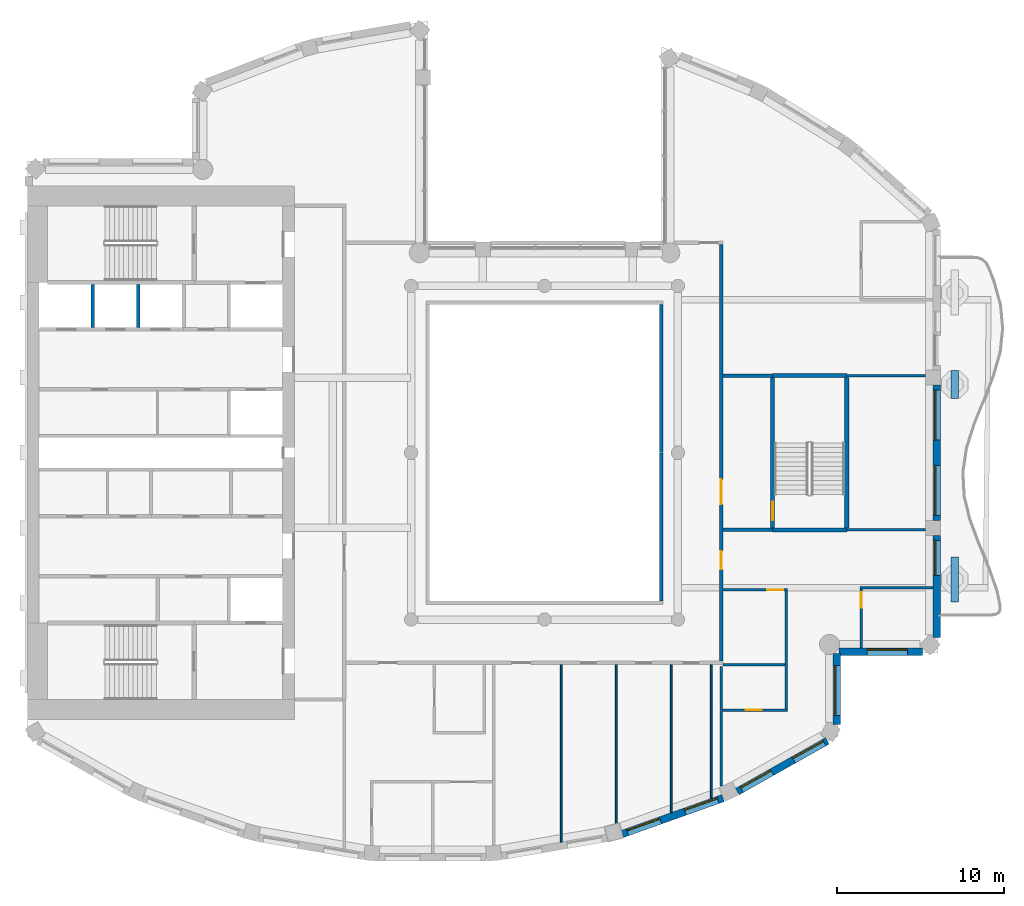
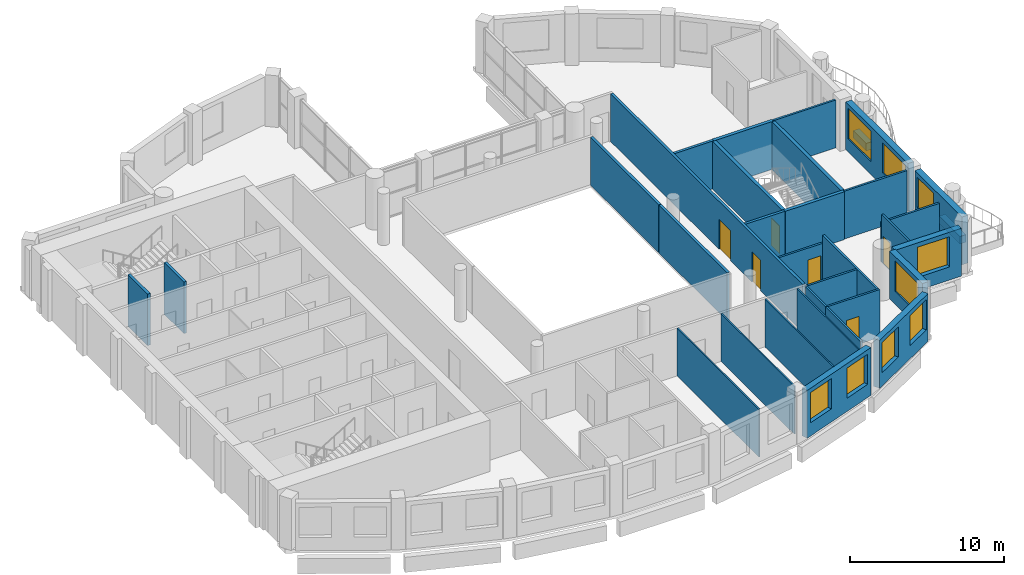
# One storey, part 6 of 15: 33 walls, 9 windows, 6 doors, 15 openings.
"""IFC4 building model written with IfcOpenShell, lengths in metres."""

from ifc_helpers import new_model, si_unit, direction, frame, frame_2d, origin, place, context, subcontext, project, spatial, rectangle, extrude, material, layer, layer_set, type_object, element, fill, save


model = new_model("IFC4")

# Units and contexts
model_context = context("Model", 3, precision=1e-05, world=origin(), true_north=direction((0.0, 1.0)))
body_context = subcontext(model_context, "Body", "Model", "MODEL_VIEW")
ifc_project = project(units=[si_unit("LENGTHUNIT", "METRE"), si_unit("AREAUNIT", "SQUARE_METRE"), si_unit("VOLUMEUNIT", "CUBIC_METRE"), si_unit("PLANEANGLEUNIT", "RADIAN"), si_unit("MASSUNIT", "GRAM", prefix="KILO")], contexts=[model_context])

# Site, building, storey
site_placement = place(None, origin())
site = spatial("IfcSite", under=ifc_project, at=site_placement, CompositionType="ELEMENT")
building_placement = place(site_placement, origin())
building = spatial("IfcBuilding", under=site, at=building_placement, Name="Cypress Arch Tower", CompositionType="ELEMENT")
storey_placement = place(building_placement, frame((0.0, 0.0, 321.300048828125)))
storey = spatial("IfcBuildingStorey", under=building, at=storey_placement, Name="L73", CompositionType="ELEMENT", Elevation=321.300048828125)

# Walls
ifc_material_1 = material(Name="Concrete C40/50, waterproofed", Category="concrete")
ifc_layer_1 = layer(ifc_material_1, 0.449951171875)
ifc_layer_set_1 = layer_set([ifc_layer_1], Name="Balcony planter wall PW450")
wall_type_1 = type_object("IfcWallType", Name="Balcony planter wall PW450", PredefinedType="SOLIDWALL", material=ifc_layer_set_1)
wall_1_placement = place(storey_placement, frame((25.60009765625, -8.949951171875, 0.0), z_axis=(0.0, 0.0, 1.0), x_axis=(0.0, 1.0, 0.0)))
element("IfcWall", 1, at=wall_1_placement, inside=storey, type_object=wall_type_1, Name="Balcony planter wall L73-C17.1", PredefinedType="SOLIDWALL", context=body_context, shape_type="SweptSolid", body=[
    extrude(rectangle(XDim=2.699951171875, YDim=0.449951171875, at=frame_2d((1.35009765625, 0.0))), origin(), (0.0, 0.0, 1.0), 0.599853515625),
])
wall_2_placement = place(storey_placement, frame((25.60009765625, 3.25, 0.0), z_axis=(0.0, 0.0, 1.0), x_axis=(0.0, 1.0, 0.0)))
element("IfcWall", 2, at=wall_2_placement, inside=storey, type_object=wall_type_1, Name="Balcony planter wall L73-C17.2", PredefinedType="SOLIDWALL", context=body_context, shape_type="SweptSolid", body=[
    extrude(rectangle(XDim=1.69140625, YDim=0.449951171875, at=frame_2d((0.845703125, 0.0))), origin(), (0.0, 0.0, 1.0), 0.599853515625),
])

# Wall, openings, windows
ifc_material_2 = material(Name="Brick (red buff blend)", Category="masonry")
ifc_layer_2 = layer(ifc_material_2, 0.449951171875)
ifc_layer_set_2 = layer_set([ifc_layer_2], Name="Brick pier and spandrel wall BW450")
wall_type_2 = type_object("IfcWallType", Name="Brick pier and spandrel wall BW450", PredefinedType="SOLIDWALL", material=ifc_layer_set_2)
wall_3_placement = place(storey_placement, frame((5.66455078125, -22.859375, 0.0), z_axis=(0.0, 0.0, 1.0), x_axis=(0.942108340262, 0.335308626803, 0.0)))
wall_3 = element("IfcWall", 3, at=wall_3_placement, inside=storey, type_object=wall_type_2, Name="Brick wall L73 C13.0", PredefinedType="SOLIDWALL", context=body_context, shape_type="SweptSolid", body=[
    extrude(rectangle(XDim=6.41162109375, YDim=0.449951171875, at=frame_2d((3.205810546875, 0.0))), origin(), (0.0, 0.0, 1.0), 3.800048828125),
])
opening_1_placement = place(wall_3_placement, frame((0.3271484375, 0.0, 1.050048828125)))
opening_1 = element("IfcOpeningElement", 4, at=opening_1_placement, cuts=wall_3, Name="Opening W210O", PredefinedType="OPENING", context=body_context, shape_type="SweptSolid", body=[
    extrude(rectangle(XDim=2.10009765625, YDim=2.39990234375, at=frame_2d((1.050048828125, 1.199951171875))), frame((0.0, 0.23486328125, 0.0), z_axis=(0.0, -1.0, 0.0), x_axis=(1.0, 0.0, 0.0)), (0.0, 0.0, 1.0), 0.469970703125),
])
opening_2_placement = place(wall_3_placement, frame((3.984619140625, 0.0, 1.050048828125)))
opening_2 = element("IfcOpeningElement", 5, at=opening_2_placement, cuts=wall_3, Name="Opening W210O", PredefinedType="OPENING", context=body_context, shape_type="SweptSolid", body=[
    extrude(rectangle(XDim=2.10009765625, YDim=2.39990234375, at=frame_2d((1.050048828125, 1.199951171875))), frame((0.0, 0.23486328125, 0.0), z_axis=(0.0, -1.0, 0.0), x_axis=(1.0, 0.0, 0.0)), (0.0, 0.0, 1.0), 0.469970703125),
])
ifc_material_3 = material(Name="Anodised aluminium, bronze finish, clear low-emissivity double glazing", Category="aluminium")
window_type_1 = type_object("IfcWindowType", Name="Window Office 2100x2400", PartitioningType="SINGLE_PANEL", PredefinedType="WINDOW", material=ifc_material_3)
window_1_placement = place(opening_1_placement, origin())
window_1 = element("IfcWindow", 6, at=window_1_placement, inside=storey, type_object=window_type_1, Name="Window L73 C13.0.1", OverallHeight=2.39990234375, OverallWidth=2.10009765625, PartitioningType="SINGLE_PANEL", PredefinedType="WINDOW", context=body_context, shape_type="SweptSolid", body=[
    extrude(rectangle(XDim=2.10009765625, YDim=2.39990234375, at=frame_2d((1.050048828125, 1.199951171875))), frame((0.0, 0.135009765625, 0.0), z_axis=(0.0, -1.0, 0.0), x_axis=(1.0, 0.0, 0.0)), (0.0, 0.0, 1.0), 0.06005859375),
])
fill(opening_1, window_1)
window_2_placement = place(opening_2_placement, origin())
window_2 = element("IfcWindow", 7, at=window_2_placement, inside=storey, type_object=window_type_1, Name="Window L73 C13.0.2", OverallHeight=2.39990234375, OverallWidth=2.10009765625, PartitioningType="SINGLE_PANEL", PredefinedType="WINDOW", context=body_context, shape_type="SweptSolid", body=[
    extrude(rectangle(XDim=2.10009765625, YDim=2.39990234375, at=frame_2d((1.050048828125, 1.199951171875))), frame((0.0, 0.135009765625, 0.0), z_axis=(0.0, -1.0, 0.0), x_axis=(1.0, 0.0, 0.0)), (0.0, 0.0, 1.0), 0.06005859375),
])
fill(opening_2, window_2)

wall_4_placement = place(storey_placement, frame((12.55908203125, -20.320068359375, 0.0), z_axis=(0.0, 0.0, 1.0), x_axis=(0.871065783524, 0.491166367714, 0.0)))
wall_4 = element("IfcWall", 8, at=wall_4_placement, inside=storey, type_object=wall_type_2, Name="Brick wall L73 C14.0", PredefinedType="SOLIDWALL", context=body_context, shape_type="SweptSolid", body=[
    extrude(rectangle(XDim=6.1962890625, YDim=0.449951171875, at=frame_2d((3.09814453125, 0.0))), origin(), (0.0, 0.0, 1.0), 3.800048828125),
])
opening_3_placement = place(wall_4_placement, frame((0.29052734375, 0.0, 1.050048828125)))
opening_3 = element("IfcOpeningElement", 9, at=opening_3_placement, cuts=wall_4, Name="Opening W210O", PredefinedType="OPENING", context=body_context, shape_type="SweptSolid", body=[
    extrude(rectangle(XDim=2.10009765625, YDim=2.39990234375, at=frame_2d((1.050048828125, 1.199951171875))), frame((0.0, 0.23486328125, 0.0), z_axis=(0.0, -1.0, 0.0), x_axis=(1.0, 0.0, 0.0)), (0.0, 0.0, 1.0), 0.469970703125),
])
opening_4_placement = place(wall_4_placement, frame((3.875244140625, 0.0, 1.050048828125)))
opening_4 = element("IfcOpeningElement", 10, at=opening_4_placement, cuts=wall_4, Name="Opening W210O", PredefinedType="OPENING", context=body_context, shape_type="SweptSolid", body=[
    extrude(rectangle(XDim=2.10009765625, YDim=2.39990234375, at=frame_2d((1.050048828125, 1.199951171875))), frame((0.0, 0.23486328125, 0.0), z_axis=(0.0, -1.0, 0.0), x_axis=(1.0, 0.0, 0.0)), (0.0, 0.0, 1.0), 0.469970703125),
])
window_3_placement = place(opening_3_placement, origin())
window_3 = element("IfcWindow", 11, at=window_3_placement, inside=storey, type_object=window_type_1, Name="Window L73 C14.0.1", OverallHeight=2.39990234375, OverallWidth=2.10009765625, PartitioningType="SINGLE_PANEL", PredefinedType="WINDOW", context=body_context, shape_type="SweptSolid", body=[
    extrude(rectangle(XDim=2.10009765625, YDim=2.39990234375, at=frame_2d((1.050048828125, 1.199951171875))), frame((0.0, 0.135009765625, 0.0), z_axis=(0.0, -1.0, 0.0), x_axis=(1.0, 0.0, 0.0)), (0.0, 0.0, 1.0), 0.06005859375),
])
fill(opening_3, window_3)
window_4_placement = place(opening_4_placement, origin())
window_4 = element("IfcWindow", 12, at=window_4_placement, inside=storey, type_object=window_type_1, Name="Window L73 C14.0.2", OverallHeight=2.39990234375, OverallWidth=2.10009765625, PartitioningType="SINGLE_PANEL", PredefinedType="WINDOW", context=body_context, shape_type="SweptSolid", body=[
    extrude(rectangle(XDim=2.10009765625, YDim=2.39990234375, at=frame_2d((1.050048828125, 1.199951171875))), frame((0.0, 0.135009765625, 0.0), z_axis=(0.0, -1.0, 0.0), x_axis=(1.0, 0.0, 0.0)), (0.0, 0.0, 1.0), 0.06005859375),
])
fill(opening_4, window_4)

# Wall, opening, window
wall_5_placement = place(storey_placement, frame((18.52490234375, -16.3037109375, 0.0), z_axis=(0.0, 0.0, 1.0), x_axis=(0.0, 1.0, 0.0)))
wall_5 = element("IfcWall", 13, at=wall_5_placement, inside=storey, type_object=wall_type_2, Name="Brick wall L73 C15.0", PredefinedType="SOLIDWALL", context=body_context, shape_type="SweptSolid", body=[
    extrude(rectangle(XDim=4.25537109375, YDim=0.449951171875, at=frame_2d((2.127685546875, 0.0))), origin(), (0.0, 0.0, 1.0), 3.800048828125),
])
opening_5_placement = place(wall_5_placement, frame((0.541259765625, 0.0, 1.050048828125)))
opening_5 = element("IfcOpeningElement", 14, at=opening_5_placement, cuts=wall_5, Name="Opening W300O", PredefinedType="OPENING", context=body_context, shape_type="SweptSolid", body=[
    extrude(rectangle(XDim=3.0, YDim=2.39990234375, at=frame_2d((1.5, 1.199951171875))), frame((0.0, 0.23486328125, 0.0), z_axis=(0.0, -1.0, 0.0), x_axis=(1.0, 0.0, 0.0)), (0.0, 0.0, 1.0), 0.469970703125),
])
ifc_material_4 = material(Name="Anodised aluminium, bronze finish, clear low-emissivity double glazing", Category="aluminium")
window_type_2 = type_object("IfcWindowType", Name="Window Office 3000x2400", PartitioningType="SINGLE_PANEL", PredefinedType="WINDOW", material=ifc_material_4)
window_5_placement = place(opening_5_placement, origin())
window_5 = element("IfcWindow", 15, at=window_5_placement, inside=storey, type_object=window_type_2, Name="Window L73 C15.0.1", OverallHeight=2.39990234375, OverallWidth=3.0, PartitioningType="SINGLE_PANEL", PredefinedType="WINDOW", context=body_context, shape_type="SweptSolid", body=[
    extrude(rectangle(XDim=3.0, YDim=2.39990234375, at=frame_2d((1.5, 1.199951171875))), frame((0.0, 0.135009765625, 0.0), z_axis=(0.0, -1.0, 0.0), x_axis=(1.0, 0.0, 0.0)), (0.0, 0.0, 1.0), 0.06005859375),
])
fill(opening_5, window_5)

wall_6_placement = place(storey_placement, frame((18.6484375, -11.925048828125, 0.0), z_axis=(0.0, 0.0, 1.0), x_axis=(1.0, 0.0, 0.0)))
wall_6 = element("IfcWall", 16, at=wall_6_placement, inside=storey, type_object=wall_type_2, Name="Brick wall L73 C16.0", PredefinedType="SOLIDWALL", context=body_context, shape_type="SweptSolid", body=[
    extrude(rectangle(XDim=5.01513671875, YDim=0.449951171875, at=frame_2d((2.507568359375, 0.0))), origin(), (0.0, 0.0, 1.0), 3.800048828125),
])
opening_6_placement = place(wall_6_placement, frame((1.70166015625, 0.0, 1.050048828125)))
opening_6 = element("IfcOpeningElement", 17, at=opening_6_placement, cuts=wall_6, Name="Opening W240O", PredefinedType="OPENING", context=body_context, shape_type="SweptSolid", body=[
    extrude(rectangle(XDim=2.39990234375, YDim=2.39990234375, at=frame_2d((1.199951171875, 1.199951171875))), frame((0.0, 0.23486328125, 0.0), z_axis=(0.0, -1.0, 0.0), x_axis=(1.0, 0.0, 0.0)), (0.0, 0.0, 1.0), 0.469970703125),
])
ifc_material_5 = material(Name="Anodised aluminium, bronze finish, clear low-emissivity double glazing", Category="aluminium")
window_type_3 = type_object("IfcWindowType", Name="Window Office 2400x2400", PartitioningType="SINGLE_PANEL", PredefinedType="WINDOW", material=ifc_material_5)
window_6_placement = place(opening_6_placement, origin())
window_6 = element("IfcWindow", 18, at=window_6_placement, inside=storey, type_object=window_type_3, Name="Window L73 C16.0.1", OverallHeight=2.39990234375, OverallWidth=2.39990234375, PartitioningType="SINGLE_PANEL", PredefinedType="WINDOW", context=body_context, shape_type="SweptSolid", body=[
    extrude(rectangle(XDim=2.39990234375, YDim=2.39990234375, at=frame_2d((1.199951171875, 1.199951171875))), frame((0.0, 0.135009765625, 0.0), z_axis=(0.0, -1.0, 0.0), x_axis=(1.0, 0.0, 0.0)), (0.0, 0.0, 1.0), 0.06005859375),
])
fill(opening_6, window_6)

wall_7_placement = place(storey_placement, frame((24.52490234375, -11.063720703125, 0.0), z_axis=(0.0, 0.0, 1.0), x_axis=(0.0, 1.0, 0.0)))
wall_7 = element("IfcWall", 19, at=wall_7_placement, inside=storey, type_object=wall_type_2, Name="Brick wall L73 C17.0", PredefinedType="SOLIDWALL", context=body_context, shape_type="SweptSolid", body=[
    extrude(rectangle(XDim=6.11376953125, YDim=0.449951171875, at=frame_2d((3.056884765625, 0.0))), origin(), (0.0, 0.0, 1.0), 3.800048828125),
])
opening_7_placement = place(wall_7_placement, frame((3.713623046875, 0.0, 1.050048828125)))
opening_7 = element("IfcOpeningElement", 20, at=opening_7_placement, cuts=wall_7, Name="Opening W210OD", PredefinedType="OPENING", context=body_context, shape_type="SweptSolid", body=[
    extrude(rectangle(XDim=2.10009765625, YDim=2.39990234375, at=frame_2d((1.050048828125, 1.199951171875))), frame((0.0, 0.23486328125, 0.0), z_axis=(0.0, -1.0, 0.0), x_axis=(1.0, 0.0, 0.0)), (0.0, 0.0, 1.0), 0.469970703125),
])
ifc_material_6 = material(Name="Anodised aluminium, bronze finish, laminated low-emissivity double glazing, large-missile impact rated", Category="aluminium")
window_type_4 = type_object("IfcWindowType", Name="Window Office 2100x2400 debris-rated", PartitioningType="SINGLE_PANEL", PredefinedType="WINDOW", material=ifc_material_6)
window_7_placement = place(opening_7_placement, origin())
window_7 = element("IfcWindow", 21, at=window_7_placement, inside=storey, type_object=window_type_4, Name="Window L73 C17.0.2", OverallHeight=2.39990234375, OverallWidth=2.10009765625, PartitioningType="SINGLE_PANEL", PredefinedType="WINDOW", context=body_context, shape_type="SweptSolid", body=[
    extrude(rectangle(XDim=2.10009765625, YDim=2.39990234375, at=frame_2d((1.050048828125, 1.199951171875))), frame((0.0, 0.135009765625, 0.0), z_axis=(0.0, -1.0, 0.0), x_axis=(1.0, 0.0, 0.0)), (0.0, 0.0, 1.0), 0.06005859375),
])
fill(opening_7, window_7)

# Wall, openings, windows
wall_8_placement = place(storey_placement, frame((24.52490234375, -4.050048828125, 0.0), z_axis=(0.0, 0.0, 1.0), x_axis=(0.0, 1.0, 0.0)))
wall_8 = element("IfcWall", 22, at=wall_8_placement, inside=storey, type_object=wall_type_2, Name="Brick wall L73 C17.1", PredefinedType="SOLIDWALL", context=body_context, shape_type="SweptSolid", body=[
    extrude(rectangle(XDim=8.10009765625, YDim=0.449951171875, at=frame_2d((4.050048828125, 0.0))), origin(), (0.0, 0.0, 1.0), 3.800048828125),
])
opening_8_placement = place(wall_8_placement, frame((0.300048828125, 0.0, 1.050048828125)))
opening_8 = element("IfcOpeningElement", 23, at=opening_8_placement, cuts=wall_8, Name="Opening W300OD", PredefinedType="OPENING", context=body_context, shape_type="SweptSolid", body=[
    extrude(rectangle(XDim=3.0, YDim=2.39990234375, at=frame_2d((1.5, 1.199951171875))), frame((0.0, 0.23486328125, 0.0), z_axis=(0.0, -1.0, 0.0), x_axis=(1.0, 0.0, 0.0)), (0.0, 0.0, 1.0), 0.469970703125),
])
opening_9_placement = place(wall_8_placement, frame((4.800048828125, 0.0, 1.050048828125)))
opening_9 = element("IfcOpeningElement", 24, at=opening_9_placement, cuts=wall_8, Name="Opening W300OD", PredefinedType="OPENING", context=body_context, shape_type="SweptSolid", body=[
    extrude(rectangle(XDim=3.0, YDim=2.39990234375, at=frame_2d((1.5, 1.199951171875))), frame((0.0, 0.23486328125, 0.0), z_axis=(0.0, -1.0, 0.0), x_axis=(1.0, 0.0, 0.0)), (0.0, 0.0, 1.0), 0.469970703125),
])
ifc_material_7 = material(Name="Anodised aluminium, bronze finish, laminated low-emissivity double glazing, large-missile impact rated", Category="aluminium")
window_type_5 = type_object("IfcWindowType", Name="Window Office 3000x2400 debris-rated", PartitioningType="SINGLE_PANEL", PredefinedType="WINDOW", material=ifc_material_7)
window_8_placement = place(opening_8_placement, origin())
window_8 = element("IfcWindow", 25, at=window_8_placement, inside=storey, type_object=window_type_5, Name="Window L73 C17.1.1", OverallHeight=2.39990234375, OverallWidth=3.0, PartitioningType="SINGLE_PANEL", PredefinedType="WINDOW", context=body_context, shape_type="SweptSolid", body=[
    extrude(rectangle(XDim=3.0, YDim=2.39990234375, at=frame_2d((1.5, 1.199951171875))), frame((0.0, 0.135009765625, 0.0), z_axis=(0.0, -1.0, 0.0), x_axis=(1.0, 0.0, 0.0)), (0.0, 0.0, 1.0), 0.06005859375),
])
fill(opening_8, window_8)
window_9_placement = place(opening_9_placement, origin())
window_9 = element("IfcWindow", 26, at=window_9_placement, inside=storey, type_object=window_type_5, Name="Window L73 C17.1.2", OverallHeight=2.39990234375, OverallWidth=3.0, PartitioningType="SINGLE_PANEL", PredefinedType="WINDOW", context=body_context, shape_type="SweptSolid", body=[
    extrude(rectangle(XDim=3.0, YDim=2.39990234375, at=frame_2d((1.5, 1.199951171875))), frame((0.0, 0.135009765625, 0.0), z_axis=(0.0, -1.0, 0.0), x_axis=(1.0, 0.0, 0.0)), (0.0, 0.0, 1.0), 0.06005859375),
])
fill(opening_9, window_9)

# Walls
ifc_material_8 = material(Name="Concrete blockwork, plastered, rated", Category="masonry")
ifc_layer_3 = layer(ifc_material_8, 0.199951171875)
ifc_layer_set_3 = layer_set([ifc_layer_3], Name="Corridor wall FW200")
wall_type_3 = type_object("IfcWallType", Name="Corridor wall FW200", PredefinedType="PARTITIONING", material=ifc_layer_set_3)
for number, where, z_axis, x_axis, name in (
    (27, (8.0, -8.89990234375, 0.0), (0.0, 0.0, 1.0), (0.0, 1.0, 0.0), "Corridor wall"),
    (28, (8.0, 0.02001953125, 0.0), (0.0, 0.0, 1.0), (0.0, 1.0, 0.0), "Corridor wall"),
):
    element("IfcWall", number, at=place(storey_placement, frame(where, z_axis=z_axis, x_axis=x_axis)), inside=storey, type_object=wall_type_3, Name=name, PredefinedType="PARTITIONING", context=body_context, shape_type="SweptSolid", body=[
        extrude(rectangle(XDim=8.8798828125, YDim=0.199951171875, at=frame_2d((4.43994140625, 0.0))), origin(), (0.0, 0.0, 1.0), 3.800048828125),
    ])

# Wall, openings, doors
wall_9_placement = place(storey_placement, frame((11.60009765625, -12.5, 0.0), z_axis=(0.0, 0.0, 1.0), x_axis=(0.0, 1.0, 0.0)))
wall_9 = element("IfcWall", 29, at=wall_9_placement, inside=storey, type_object=wall_type_3, Name="Corridor wall", PredefinedType="PARTITIONING", context=body_context, shape_type="SweptSolid", body=[
    extrude(rectangle(XDim=25.0, YDim=0.199951171875, at=frame_2d((12.5, 0.0))), origin(), (0.0, 0.0, 1.0), 3.800048828125),
])
opening_10_placement = place(wall_9_placement, frame((9.39990234375, 0.0, 0.0)))
opening_10 = element("IfcOpeningElement", 30, at=opening_10_placement, cuts=wall_9, Name="Opening D07", PredefinedType="OPENING", context=body_context, shape_type="SweptSolid", body=[
    extrude(rectangle(XDim=1.5, YDim=2.39990234375, at=frame_2d((0.75, 1.199951171875))), frame((0.0, 0.10986328125, 0.0), z_axis=(0.0, -1.0, 0.0), x_axis=(1.0, 0.0, 0.0)), (0.0, 0.0, 1.0), 0.219970703125),
])
opening_11_placement = place(wall_9_placement, frame((5.5, 0.0, 0.0)))
opening_11 = element("IfcOpeningElement", 31, at=opening_11_placement, cuts=wall_9, Name="Opening D01", PredefinedType="OPENING", context=body_context, shape_type="SweptSolid", body=[
    extrude(rectangle(XDim=1.10009765625, YDim=2.39990234375, at=frame_2d((0.550048828125, 1.199951171875))), frame((0.0, 0.10986328125, 0.0), z_axis=(0.0, -1.0, 0.0), x_axis=(1.0, 0.0, 0.0)), (0.0, 0.0, 1.0), 0.219970703125),
])
ifc_material_9 = material(Name="Steel framed glazed door, fire resisting", Category="steel")
door_type_1 = type_object("IfcDoorType", Name="Lobby door D07 1500x2400", OperationType="DOUBLE_DOOR_SINGLE_SWING", PredefinedType="DOOR", material=ifc_material_9)
door_1_placement = place(opening_10_placement, origin())
door_1 = element("IfcDoor", 32, at=door_1_placement, inside=storey, type_object=door_type_1, Name="Lobby door", OperationType="DOUBLE_DOOR_SINGLE_SWING", OverallHeight=2.39990234375, OverallWidth=1.5, PredefinedType="DOOR", context=body_context, shape_type="SweptSolid", body=[
    extrude(rectangle(XDim=1.5, YDim=2.39990234375, at=frame_2d((0.75, 1.199951171875))), frame((0.0, 0.02490234375, 0.0), z_axis=(0.0, -1.0, 0.0), x_axis=(1.0, 0.0, 0.0)), (0.0, 0.0, 1.0), 0.050048828125),
])
fill(opening_10, door_1)
ifc_material_10 = material(Name="Timber flush door, fire resisting, self-closing", Category="wood")
door_type_2 = type_object("IfcDoorType", Name="Unit entrance door D01 1100x2400", OperationType="SINGLE_SWING_LEFT", PredefinedType="DOOR", material=ifc_material_10)
door_2_placement = place(opening_11_placement, origin())
door_2 = element("IfcDoor", 33, at=door_2_placement, inside=storey, type_object=door_type_2, Name="Unit entrance door", OperationType="SINGLE_SWING_RIGHT", OverallHeight=2.39990234375, OverallWidth=1.10009765625, PredefinedType="DOOR", context=body_context, shape_type="SweptSolid", body=[
    extrude(rectangle(XDim=1.10009765625, YDim=2.39990234375, at=frame_2d((0.550048828125, 1.199951171875))), frame((0.0, 0.02490234375, 0.0), z_axis=(0.0, -1.0, 0.0), x_axis=(1.0, 0.0, 0.0)), (0.0, 0.0, 1.0), 0.050048828125),
])
fill(opening_11, door_2)

# Walls
for number, where, z_axis, x_axis, name in (
    (34, (11.699951171875, -4.625, 0.0), (0.0, 0.0, 1.0), (1.0, 0.0, 0.0), "Corridor wall"),
    (35, (11.699951171875, 4.625, 0.0), (0.0, 0.0, 1.0), (1.0, 0.0, 0.0), "Corridor wall"),
):
    element("IfcWall", number, at=place(storey_placement, frame(where, z_axis=z_axis, x_axis=x_axis)), inside=storey, type_object=wall_type_3, Name=name, PredefinedType="PARTITIONING", context=body_context, shape_type="SweptSolid", body=[
        extrude(rectangle(XDim=2.97509765625, YDim=0.199951171875, at=frame_2d((1.487548828125, 0.0))), origin(), (0.0, 0.0, 1.0), 3.800048828125),
    ])
ifc_material_11 = material(Name="Blockwork, plastered both sides", Category="masonry")
ifc_layer_4 = layer(ifc_material_11, 0.14990234375)
ifc_layer_set_4 = layer_set([ifc_layer_4], Name="Partition PW150")
wall_type_4 = type_object("IfcWallType", Name="Partition PW150", PredefinedType="PARTITIONING", material=ifc_layer_set_4)
wall_10_placement = place(storey_placement, frame((11.60009765625, -19.98828125, 0.0), z_axis=(0.0, 0.0, 1.0), x_axis=(0.0, 1.0, 0.0)))
element("IfcWall", 36, at=wall_10_placement, inside=storey, type_object=wall_type_4, Name="Partition", PredefinedType="PARTITIONING", context=body_context, shape_type="SweptSolid", body=[
    extrude(rectangle(XDim=4.543212890625, YDim=0.14990234375, at=frame_2d((2.271484375, 0.0))), origin(), (0.0, 0.0, 1.0), 3.800048828125),
])
wall_11_placement = place(storey_placement, frame((11.60009765625, -15.425048828125, 0.0), z_axis=(0.0, 0.0, 1.0), x_axis=(0.0, 1.0, 0.0)))
element("IfcWall", 37, at=wall_11_placement, inside=storey, type_object=wall_type_4, Name="Partition", PredefinedType="PARTITIONING", context=body_context, shape_type="SweptSolid", body=[
    extrude(rectangle(XDim=2.60498046875, YDim=0.14990234375, at=frame_2d((1.302490234375, 0.0))), origin(), (0.0, 0.0, 1.0), 3.800048828125),
])

# Wall, opening, door
wall_12_placement = place(storey_placement, frame((11.675048828125, -15.425048828125, 0.0), z_axis=(0.0, 0.0, 1.0), x_axis=(1.0, 0.0, 0.0)))
wall_12 = element("IfcWall", 38, at=wall_12_placement, inside=storey, type_object=wall_type_4, Name="Partition", PredefinedType="PARTITIONING", context=body_context, shape_type="SweptSolid", body=[
    extrude(rectangle(XDim=3.89990234375, YDim=0.14990234375, at=frame_2d((1.949951171875, 0.0))), origin(), (0.0, 0.0, 1.0), 3.800048828125),
])
opening_12_placement = place(wall_12_placement, frame((1.39990234375, 0.0, 0.0)))
opening_12 = element("IfcOpeningElement", 39, at=opening_12_placement, cuts=wall_12, Name="Opening D12", PredefinedType="OPENING", context=body_context, shape_type="SweptSolid", body=[
    extrude(rectangle(XDim=0.949951171875, YDim=2.199951171875, at=frame_2d((0.47509765625, 1.10009765625))), frame((0.0, 0.0849609375, 0.0), z_axis=(0.0, -1.0, 0.0), x_axis=(1.0, 0.0, 0.0)), (0.0, 0.0, 1.0), 0.169921875),
])
ifc_material_12 = material(Name="Timber flush door", Category="wood")
door_type_3 = type_object("IfcDoorType", Name="Room door D12 950x2200", OperationType="SINGLE_SWING_LEFT", PredefinedType="DOOR", material=ifc_material_12)
door_3_placement = place(opening_12_placement, origin())
door_3 = element("IfcDoor", 40, at=door_3_placement, inside=storey, type_object=door_type_3, Name="Room door", OperationType="SINGLE_SWING_RIGHT", OverallHeight=2.199951171875, OverallWidth=0.949951171875, PredefinedType="DOOR", context=body_context, shape_type="SweptSolid", body=[
    extrude(rectangle(XDim=0.949951171875, YDim=2.199951171875, at=frame_2d((0.47509765625, 1.10009765625))), frame((0.0, 0.02490234375, 0.0), z_axis=(0.0, -1.0, 0.0), x_axis=(1.0, 0.0, 0.0)), (0.0, 0.0, 1.0), 0.050048828125),
])
fill(opening_12, door_3)

# Wall
wall_13_placement = place(storey_placement, frame((11.699951171875, -12.72509765625, 0.0), z_axis=(0.0, 0.0, 1.0), x_axis=(1.0, 0.0, 0.0)))
element("IfcWall", 41, at=wall_13_placement, inside=storey, type_object=wall_type_4, Name="Partition", PredefinedType="PARTITIONING", context=body_context, shape_type="SweptSolid", body=[
    extrude(rectangle(XDim=3.72509765625, YDim=0.14990234375, at=frame_2d((1.862548828125, 0.0))), origin(), (0.0, 0.0, 1.0), 3.800048828125),
])

# Wall, opening, door
wall_14_placement = place(storey_placement, frame((11.699951171875, -8.22509765625, 0.0), z_axis=(0.0, 0.0, 1.0), x_axis=(1.0, 0.0, 0.0)))
wall_14 = element("IfcWall", 42, at=wall_14_placement, inside=storey, type_object=wall_type_4, Name="Partition", PredefinedType="PARTITIONING", context=body_context, shape_type="SweptSolid", body=[
    extrude(rectangle(XDim=3.875, YDim=0.14990234375, at=frame_2d((1.9375, 0.0))), origin(), (0.0, 0.0, 1.0), 3.14990234375),
])
opening_13_placement = place(wall_14_placement, frame((2.64990234375, 0.0, 0.0)))
opening_13 = element("IfcOpeningElement", 43, at=opening_13_placement, cuts=wall_14, Name="Opening D12", PredefinedType="OPENING", context=body_context, shape_type="SweptSolid", body=[
    extrude(rectangle(XDim=0.949951171875, YDim=2.199951171875, at=frame_2d((0.47509765625, 1.10009765625))), frame((0.0, 0.0849609375, 0.0), z_axis=(0.0, -1.0, 0.0), x_axis=(1.0, 0.0, 0.0)), (0.0, 0.0, 1.0), 0.169921875),
])
door_4_placement = place(opening_13_placement, origin())
door_4 = element("IfcDoor", 44, at=door_4_placement, inside=storey, type_object=door_type_3, Name="Room door", OperationType="SINGLE_SWING_LEFT", OverallHeight=2.199951171875, OverallWidth=0.949951171875, PredefinedType="DOOR", context=body_context, shape_type="SweptSolid", body=[
    extrude(rectangle(XDim=0.949951171875, YDim=2.199951171875, at=frame_2d((0.47509765625, 1.10009765625))), frame((0.0, 0.02490234375, 0.0), z_axis=(0.0, -1.0, 0.0), x_axis=(1.0, 0.0, 0.0)), (0.0, 0.0, 1.0), 0.050048828125),
])
fill(opening_13, door_4)

# Walls
wall_15_placement = place(storey_placement, frame((15.5, -15.35009765625, 0.0), z_axis=(0.0, 0.0, 1.0), x_axis=(0.0, 1.0, 0.0)))
element("IfcWall", 45, at=wall_15_placement, inside=storey, type_object=wall_type_4, Name="Partition", PredefinedType="PARTITIONING", context=body_context, shape_type="SweptSolid", body=[
    extrude(rectangle(XDim=7.050048828125, YDim=0.14990234375, at=frame_2d((3.52490234375, 0.0))), origin(), (0.0, 0.0, 1.0), 3.800048828125),
])
for number, where, z_axis, x_axis, name in (
    (46, (19.14501953125, -4.625, 0.0), (0.0, 0.0, 1.0), (1.0, 0.0, 0.0), "Partition"),
    (47, (19.14501953125, 4.625, 0.0), (0.0, 0.0, 1.0), (1.0, 0.0, 0.0), "Partition"),
):
    element("IfcWall", number, at=place(storey_placement, frame(where, z_axis=z_axis, x_axis=x_axis)), inside=storey, type_object=wall_type_4, Name=name, PredefinedType="PARTITIONING", context=body_context, shape_type="SweptSolid", body=[
        extrude(rectangle(XDim=4.705078125, YDim=0.14990234375, at=frame_2d((2.3525390625, 0.0))), origin(), (0.0, 0.0, 1.0), 3.800048828125),
    ])

# Wall, opening, door
wall_16_placement = place(storey_placement, frame((20.0, -11.699951171875, 0.0), z_axis=(0.0, 0.0, 1.0), x_axis=(0.0, 1.0, 0.0)))
wall_16 = element("IfcWall", 48, at=wall_16_placement, inside=storey, type_object=wall_type_4, Name="Partition", PredefinedType="PARTITIONING", context=body_context, shape_type="SweptSolid", body=[
    extrude(rectangle(XDim=3.52490234375, YDim=0.14990234375, at=frame_2d((1.762451171875, 0.0))), origin(), (0.0, 0.0, 1.0), 3.800048828125),
])
opening_14_placement = place(wall_16_placement, frame((2.39990234375, 0.0, 0.0)))
opening_14 = element("IfcOpeningElement", 49, at=opening_14_placement, cuts=wall_16, Name="Opening D12", PredefinedType="OPENING", context=body_context, shape_type="SweptSolid", body=[
    extrude(rectangle(XDim=0.949951171875, YDim=2.199951171875, at=frame_2d((0.47509765625, 1.10009765625))), frame((0.0, 0.0849609375, 0.0), z_axis=(0.0, -1.0, 0.0), x_axis=(1.0, 0.0, 0.0)), (0.0, 0.0, 1.0), 0.169921875),
])
door_5_placement = place(opening_14_placement, origin())
door_5 = element("IfcDoor", 50, at=door_5_placement, inside=storey, type_object=door_type_3, Name="Room door", OperationType="SINGLE_SWING_RIGHT", OverallHeight=2.199951171875, OverallWidth=0.949951171875, PredefinedType="DOOR", context=body_context, shape_type="SweptSolid", body=[
    extrude(rectangle(XDim=0.949951171875, YDim=2.199951171875, at=frame_2d((0.47509765625, 1.10009765625))), frame((0.0, 0.02490234375, 0.0), z_axis=(0.0, -1.0, 0.0), x_axis=(1.0, 0.0, 0.0)), (0.0, 0.0, 1.0), 0.050048828125),
])
fill(opening_14, door_5)

# Walls
wall_17_placement = place(storey_placement, frame((19.925048828125, -8.10009765625, 0.0), z_axis=(0.0, 0.0, 1.0), x_axis=(1.0, 0.0, 0.0)))
element("IfcWall", 51, at=wall_17_placement, inside=storey, type_object=wall_type_4, Name="Partition", PredefinedType="PARTITIONING", context=body_context, shape_type="SweptSolid", body=[
    extrude(rectangle(XDim=4.375, YDim=0.14990234375, at=frame_2d((2.1875, 0.0))), origin(), (0.0, 0.0, 1.0), 3.14990234375),
])
ifc_material_13 = material(Name="Concrete C50/60", Category="concrete")
ifc_layer_5 = layer(ifc_material_13, 0.199951171875)
ifc_layer_set_5 = layer_set([ifc_layer_5], Name="Shaft wall SH200")
wall_type_5 = type_object("IfcWallType", Name="Shaft wall SH200", PredefinedType="SHEAR", material=ifc_layer_set_5)
for number, where, z_axis, x_axis, name in (
    (52, (-26.080078125, 7.5, 0.0), (0.0, 0.0, 1.0), (0.0, 1.0, 0.0), "Shaft wall"),
    (53, (-23.360107421875, 7.5, 0.0), (0.0, 0.0, 1.0), (0.0, 1.0, 0.0), "Shaft wall"),
):
    element("IfcWall", number, at=place(storey_placement, frame(where, z_axis=z_axis, x_axis=x_axis)), inside=storey, type_object=wall_type_5, Name=name, PredefinedType="SHEAR", context=body_context, shape_type="SweptSolid", body=[
        extrude(rectangle(XDim=2.574951171875, YDim=0.199951171875, at=frame_2d((1.28759765625, 0.0))), origin(), (0.0, 0.0, 1.0), 4.099853515625),
    ])

# Wall, opening, door
ifc_material_14 = material(Name="Concrete C50/60", Category="concrete")
ifc_layer_6 = layer(ifc_material_14, 0.25)
ifc_layer_set_6 = layer_set([ifc_layer_6], Name="Stair enclosure wall SW250")
wall_type_6 = type_object("IfcWallType", Name="Stair enclosure wall SW250", PredefinedType="SHEAR", material=ifc_layer_set_6)
wall_18_placement = place(storey_placement, frame((14.675048828125, -4.5, 0.0), z_axis=(0.0, 0.0, 1.0), x_axis=(0.0, 1.0, 0.0)))
wall_18 = element("IfcWall", 54, at=wall_18_placement, inside=storey, type_object=wall_type_6, Name="Stair enclosure wall", PredefinedType="SHEAR", context=body_context, shape_type="SweptSolid", body=[
    extrude(rectangle(XDim=9.0, YDim=0.25, at=frame_2d((4.5, 0.0))), origin(), (0.0, 0.0, 1.0), 3.800048828125),
])
opening_15_placement = place(wall_18_placement, frame((0.449951171875, 0.0, 0.0)))
opening_15 = element("IfcOpeningElement", 55, at=opening_15_placement, cuts=wall_18, Name="Opening D06", PredefinedType="OPENING", context=body_context, shape_type="SweptSolid", body=[
    extrude(rectangle(XDim=1.10009765625, YDim=2.199951171875, at=frame_2d((0.550048828125, 1.10009765625))), frame((0.0, 0.135009765625, 0.0), z_axis=(0.0, -1.0, 0.0), x_axis=(1.0, 0.0, 0.0)), (0.0, 0.0, 1.0), 0.27001953125),
])
ifc_material_15 = material(Name="Steel door, fire resisting, panic bar", Category="steel")
door_type_4 = type_object("IfcDoorType", Name="Stair door D06 1100x2200", OperationType="SINGLE_SWING_LEFT", PredefinedType="DOOR", material=ifc_material_15)
door_6_placement = place(opening_15_placement, origin())
door_6 = element("IfcDoor", 56, at=door_6_placement, inside=storey, type_object=door_type_4, Name="Stair door", OperationType="SINGLE_SWING_RIGHT", OverallHeight=2.199951171875, OverallWidth=1.10009765625, PredefinedType="DOOR", context=body_context, shape_type="SweptSolid", body=[
    extrude(rectangle(XDim=1.10009765625, YDim=2.199951171875, at=frame_2d((0.550048828125, 1.10009765625))), frame((0.0, 0.02490234375, 0.0), z_axis=(0.0, -1.0, 0.0), x_axis=(1.0, 0.0, 0.0)), (0.0, 0.0, 1.0), 0.050048828125),
])
fill(opening_15, door_6)

# Walls
for number, where, z_axis, x_axis, name in (
    (57, (14.675048828125, -4.625, 0.0), (0.0, 0.0, 1.0), (1.0, 0.0, 0.0), "Stair enclosure wall"),
    (58, (14.675048828125, 4.625, 0.0), (0.0, 0.0, 1.0), (1.0, 0.0, 0.0), "Stair enclosure wall"),
):
    element("IfcWall", number, at=place(storey_placement, frame(where, z_axis=z_axis, x_axis=x_axis)), inside=storey, type_object=wall_type_6, Name=name, PredefinedType="SHEAR", context=body_context, shape_type="SweptSolid", body=[
        extrude(rectangle(XDim=4.449951171875, YDim=0.25, at=frame_2d((2.22509765625, 0.0))), origin(), (0.0, 0.0, 1.0), 3.800048828125),
    ])
wall_19_placement = place(storey_placement, frame((19.125, -4.5, 0.0), z_axis=(0.0, 0.0, 1.0), x_axis=(0.0, 1.0, 0.0)))
element("IfcWall", 59, at=wall_19_placement, inside=storey, type_object=wall_type_6, Name="Stair enclosure wall", PredefinedType="SHEAR", context=body_context, shape_type="SweptSolid", body=[
    extrude(rectangle(XDim=9.0, YDim=0.25, at=frame_2d((4.5, 0.0))), origin(), (0.0, 0.0, 1.0), 3.800048828125),
])
ifc_material_16 = material(Name="Moisture resistant board on steel studs, tiled", Category="steel")
ifc_layer_7 = layer(ifc_material_16, 0.10009765625)
ifc_layer_set_7 = layer_set([ifc_layer_7], Name="Wet wall PW100")
wall_type_7 = type_object("IfcWallType", Name="Wet wall PW100", PredefinedType="PARTITIONING", material=ifc_layer_set_7)
wall_20_placement = place(storey_placement, frame((2.0, -23.343505859375, 0.0), z_axis=(0.0, 0.0, 1.0), x_axis=(0.0, 1.0, 0.0)))
element("IfcWall", 60, at=wall_20_placement, inside=storey, type_object=wall_type_7, Name="Wet wall", PredefinedType="PARTITIONING", context=body_context, shape_type="SweptSolid", body=[
    extrude(rectangle(XDim=10.6435546875, YDim=0.10009765625, at=frame_2d((5.32177734375, 0.0))), origin(), (0.0, 0.0, 1.0), 3.800048828125),
])
wall_21_placement = place(storey_placement, frame((5.300048828125, -22.24951171875, 0.0), z_axis=(0.0, 0.0, 1.0), x_axis=(0.0, 1.0, 0.0)))
element("IfcWall", 61, at=wall_21_placement, inside=storey, type_object=wall_type_7, Name="Wet wall", PredefinedType="PARTITIONING", context=body_context, shape_type="SweptSolid", body=[
    extrude(rectangle(XDim=9.549560546875, YDim=0.10009765625, at=frame_2d((4.77490234375, 0.0))), origin(), (0.0, 0.0, 1.0), 3.800048828125),
])
wall_22_placement = place(storey_placement, frame((8.60009765625, -21.57568359375, 0.0), z_axis=(0.0, 0.0, 1.0), x_axis=(0.0, 1.0, 0.0)))
element("IfcWall", 62, at=wall_22_placement, inside=storey, type_object=wall_type_7, Name="Wet wall", PredefinedType="PARTITIONING", context=body_context, shape_type="SweptSolid", body=[
    extrude(rectangle(XDim=8.875732421875, YDim=0.10009765625, at=frame_2d((4.43798828125, 0.0))), origin(), (0.0, 0.0, 1.0), 3.800048828125),
])
wall_23_placement = place(storey_placement, frame((11.0, -20.721435546875, 0.0), z_axis=(0.0, 0.0, 1.0), x_axis=(0.0, 1.0, 0.0)))
element("IfcWall", 63, at=wall_23_placement, inside=storey, type_object=wall_type_7, Name="Wet wall", PredefinedType="PARTITIONING", context=body_context, shape_type="SweptSolid", body=[
    extrude(rectangle(XDim=8.00146484375, YDim=0.10009765625, at=frame_2d((4.000732421875, 0.0))), origin(), (0.0, 0.0, 1.0), 3.800048828125),
])

save(model, "model.ifc")
